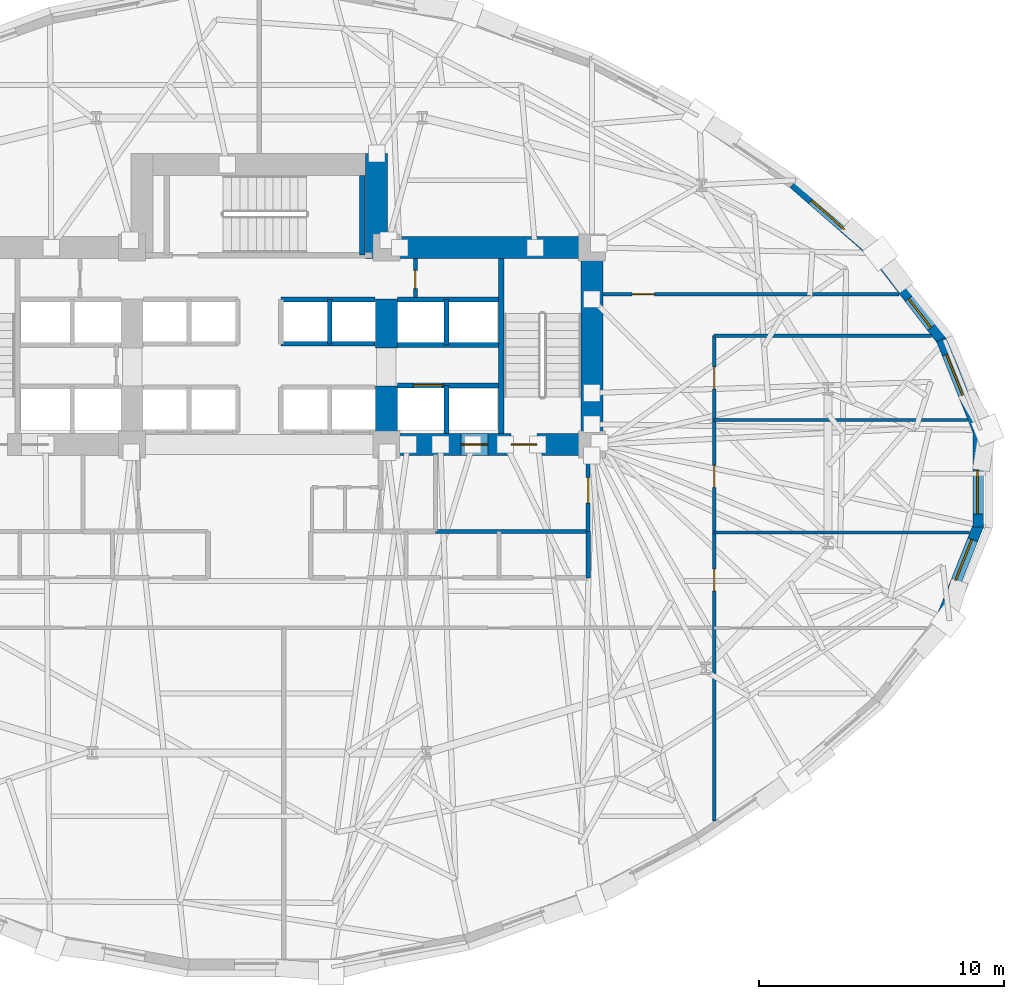
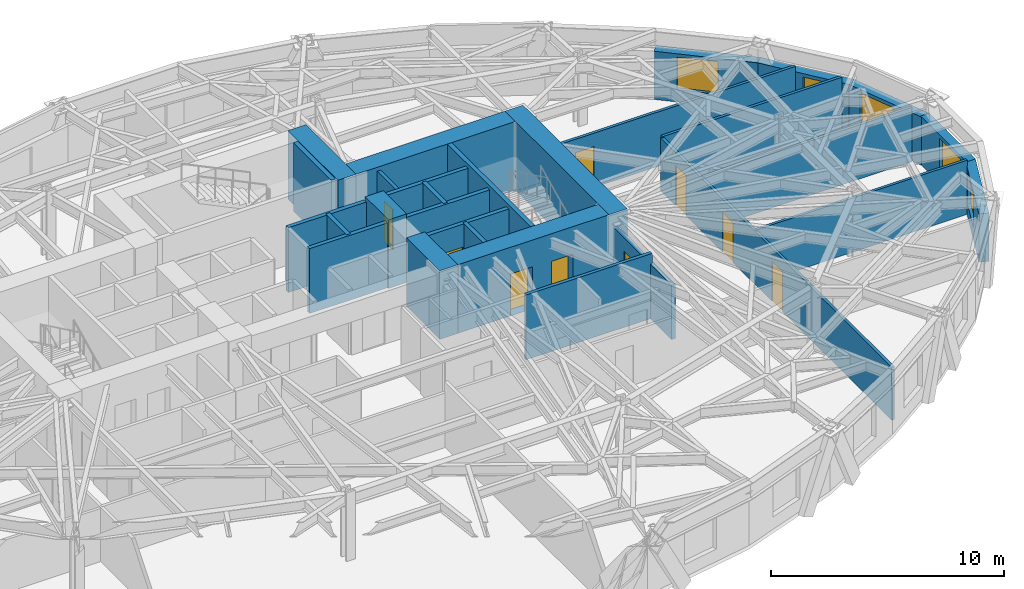
# One storey, part 9 of 14: 30 walls, 9 doors, 5 windows, 14 openings.
"""IFC4 building model written with IfcOpenShell, lengths in metres."""

from ifc_helpers import new_model, si_unit, direction, frame, frame_2d, origin, place, context, subcontext, project, spatial, rectangle, extrude, material, layer, layer_set, type_object, element, fill, save


model = new_model("IFC4")

# Units and contexts
model_context = context("Model", 3, precision=1e-05, world=origin(), true_north=direction((0.0, 1.0)))
body_context = subcontext(model_context, "Body", "Model", "MODEL_VIEW")
ifc_project = project(units=[si_unit("LENGTHUNIT", "METRE"), si_unit("AREAUNIT", "SQUARE_METRE"), si_unit("VOLUMEUNIT", "CUBIC_METRE"), si_unit("PLANEANGLEUNIT", "RADIAN"), si_unit("MASSUNIT", "GRAM", prefix="KILO")], contexts=[model_context])

# Site, building, storey
site_placement = place(None, origin())
site = spatial("IfcSite", under=ifc_project, at=site_placement, CompositionType="ELEMENT")
building_placement = place(site_placement, origin())
building = spatial("IfcBuilding", under=site, at=building_placement, Name="Keldmark Tower", CompositionType="ELEMENT")
storey_placement = place(building_placement, frame((0.0, 0.0, 66.60009765625)))
storey = spatial("IfcBuildingStorey", under=building, at=storey_placement, Name="L17", CompositionType="ELEMENT", Elevation=66.60009765625)

# Wall, openings, doors
ifc_material_1 = material(Name="Acoustic Double-Layer Gypsum Corridor Partition", Category="gypsum")
ifc_layer_1 = layer(ifc_material_1, 0.139892578125)
ifc_layer_set_1 = layer_set([ifc_layer_1], Name="Acoustic Double-Layer Gypsum Corridor Partition")
wall_type_1 = type_object("IfcWallType", Name="Acoustic Corridor Partition 140 mm", PredefinedType="PARTITIONING", material=ifc_layer_set_1)
wall_1_placement = place(storey_placement, frame((18.60009765625, -13.996337890625, 0.0), z_axis=(0.0, 0.0, 1.0), x_axis=(0.0, 1.0, 0.0)))
wall_1 = element("IfcWall", 1, at=wall_1_placement, inside=storey, type_object=wall_type_1, Name="L17 Acoustic Corridor Partition 140 mm COR-E", PredefinedType="PARTITIONING", context=body_context, shape_type="SweptSolid", body=[
    extrude(rectangle(XDim=19.846435546875, YDim=0.139892578125, at=frame_2d((9.92333984375, 0.0))), origin(), (0.0, 0.0, 1.0), 2.77880859375),
])
opening_1_placement = place(wall_1_placement, frame((9.396484375, 0.0, 0.0)))
opening_1 = element("IfcOpeningElement", 2, at=opening_1_placement, cuts=wall_1, Name="Opening D-IN090", PredefinedType="OPENING", context=body_context, shape_type="SweptSolid", body=[
    extrude(rectangle(XDim=0.89990234375, YDim=2.10009765625, at=frame_2d((0.449951171875, 1.050048828125))), frame((0.0, 0.079833984375, 0.0), z_axis=(0.0, -1.0, 0.0), x_axis=(1.0, 0.0, 0.0)), (0.0, 0.0, 1.0), 0.159912109375),
])
opening_2_placement = place(wall_1_placement, frame((13.646484375, 0.0, 0.0)))
opening_2 = element("IfcOpeningElement", 3, at=opening_2_placement, cuts=wall_1, Name="Opening D-IN090", PredefinedType="OPENING", context=body_context, shape_type="SweptSolid", body=[
    extrude(rectangle(XDim=0.89990234375, YDim=2.10009765625, at=frame_2d((0.449951171875, 1.050048828125))), frame((0.0, 0.079833984375, 0.0), z_axis=(0.0, -1.0, 0.0), x_axis=(1.0, 0.0, 0.0)), (0.0, 0.0, 1.0), 0.159912109375),
])
opening_3_placement = place(wall_1_placement, frame((17.67138671875, 0.0, 0.0)))
opening_3 = element("IfcOpeningElement", 4, at=opening_3_placement, cuts=wall_1, Name="Opening D-IN090", PredefinedType="OPENING", context=body_context, shape_type="SweptSolid", body=[
    extrude(rectangle(XDim=0.89990234375, YDim=2.10009765625, at=frame_2d((0.449951171875, 1.050048828125))), frame((0.0, 0.079833984375, 0.0), z_axis=(0.0, -1.0, 0.0), x_axis=(1.0, 0.0, 0.0)), (0.0, 0.0, 1.0), 0.159912109375),
])
ifc_material_2 = material(Name="Stained American White Oak Veneer", Category="wood")
door_type_1 = type_object("IfcDoorType", Name="Interior Door 900x2100", OperationType="NOTDEFINED", PredefinedType="DOOR", material=ifc_material_2)
door_1_placement = place(opening_1_placement, origin())
door_1 = element("IfcDoor", 5, at=door_1_placement, inside=storey, type_object=door_type_1, Name="L17 Interior Door 900x2100 D-ER-1-L17", OperationType="SINGLE_SWING_RIGHT", OverallHeight=2.10009765625, OverallWidth=0.89990234375, PredefinedType="DOOR", context=body_context, shape_type="SweptSolid", body=[
    extrude(rectangle(XDim=0.89990234375, YDim=2.10009765625, at=frame_2d((0.449951171875, 1.050048828125))), frame((0.0, 0.02490234375, 0.0), z_axis=(0.0, -1.0, 0.0), x_axis=(1.0, 0.0, 0.0)), (0.0, 0.0, 1.0), 0.050048828125),
])
fill(opening_1, door_1)
door_2_placement = place(opening_2_placement, origin())
door_2 = element("IfcDoor", 6, at=door_2_placement, inside=storey, type_object=door_type_1, Name="L17 Interior Door 900x2100 D-ER-2-L17", OperationType="SINGLE_SWING_LEFT", OverallHeight=2.10009765625, OverallWidth=0.89990234375, PredefinedType="DOOR", context=body_context, shape_type="SweptSolid", body=[
    extrude(rectangle(XDim=0.89990234375, YDim=2.10009765625, at=frame_2d((0.449951171875, 1.050048828125))), frame((0.0, 0.02490234375, 0.0), z_axis=(0.0, -1.0, 0.0), x_axis=(1.0, 0.0, 0.0)), (0.0, 0.0, 1.0), 0.050048828125),
])
fill(opening_2, door_2)
door_3_placement = place(opening_3_placement, origin())
door_3 = element("IfcDoor", 7, at=door_3_placement, inside=storey, type_object=door_type_1, Name="L17 Interior Door 900x2100 D-ER-3-L17", OperationType="SINGLE_SWING_RIGHT", OverallHeight=2.10009765625, OverallWidth=0.89990234375, PredefinedType="DOOR", context=body_context, shape_type="SweptSolid", body=[
    extrude(rectangle(XDim=0.89990234375, YDim=2.10009765625, at=frame_2d((0.449951171875, 1.050048828125))), frame((0.0, 0.02490234375, 0.0), z_axis=(0.0, -1.0, 0.0), x_axis=(1.0, 0.0, 0.0)), (0.0, 0.0, 1.0), 0.050048828125),
])
fill(opening_3, door_3)

# Wall, opening, door
wall_2_placement = place(storey_placement, frame((14.050048828125, 7.550048828125, 0.0), z_axis=(0.0, 0.0, 1.0), x_axis=(1.0, 0.0, 0.0)))
wall_2 = element("IfcWall", 8, at=wall_2_placement, inside=storey, type_object=wall_type_1, Name="L17 Acoustic Corridor Partition 140 mm COR-EN-CAP", PredefinedType="PARTITIONING", context=body_context, shape_type="SweptSolid", body=[
    extrude(rectangle(XDim=12.11767578125, YDim=0.139892578125, at=frame_2d((6.058837890625, 0.0))), origin(), (0.0, 0.0, 1.0), 2.852783203125),
])
opening_4_placement = place(wall_2_placement, frame((1.199951171875, 0.0, 0.0)))
opening_4 = element("IfcOpeningElement", 9, at=opening_4_placement, cuts=wall_2, Name="Opening D-EX092", PredefinedType="OPENING", context=body_context, shape_type="SweptSolid", body=[
    extrude(rectangle(XDim=0.919921875, YDim=2.14990234375, at=frame_2d((0.4599609375, 1.074951171875))), frame((0.0, 0.079833984375, 0.0), z_axis=(0.0, -1.0, 0.0), x_axis=(1.0, 0.0, 0.0)), (0.0, 0.0, 1.0), 0.159912109375),
])
ifc_material_3 = material(Name="Flush American Ash Executive Office Door", Category="wood")
door_type_2 = type_object("IfcDoorType", Name="Executive Office Door 920x2150", OperationType="NOTDEFINED", PredefinedType="DOOR", material=ifc_material_3)
door_4_placement = place(opening_4_placement, origin())
door_4 = element("IfcDoor", 10, at=door_4_placement, inside=storey, type_object=door_type_2, Name="L17 Executive Office Door 920x2150 D-NRNE-L17", OperationType="SINGLE_SWING_RIGHT", OverallHeight=2.14990234375, OverallWidth=0.919921875, PredefinedType="DOOR", context=body_context, shape_type="SweptSolid", body=[
    extrude(rectangle(XDim=0.919921875, YDim=2.14990234375, at=frame_2d((0.4599609375, 1.074951171875))), frame((0.0, 0.02490234375, 0.0), z_axis=(0.0, -1.0, 0.0), x_axis=(1.0, 0.0, 0.0)), (0.0, 0.0, 1.0), 0.050048828125),
])
fill(opening_4, door_4)

# Walls
wall_3_placement = place(storey_placement, frame((18.60009765625, 5.85009765625, 0.0), z_axis=(0.0, 0.0, 1.0), x_axis=(1.0, 0.0, 0.0)))
element("IfcWall", 11, at=wall_3_placement, inside=storey, type_object=wall_type_1, Name="L17 Acoustic Corridor Partition 140 mm COR-EA-S", PredefinedType="PARTITIONING", context=body_context, shape_type="SweptSolid", body=[
    extrude(rectangle(XDim=8.878662109375, YDim=0.139892578125, at=frame_2d((4.439453125, 0.0))), origin(), (0.0, 0.0, 1.0), 2.852783203125),
])
ifc_material_4 = material(Name="Heavy Acoustic Plumbing Chase Gypsum Assembly", Category="gypsum")
ifc_layer_2 = layer(ifc_material_4, 0.18994140625)
ifc_layer_set_2 = layer_set([ifc_layer_2], Name="Heavy Acoustic Plumbing Chase Gypsum Assembly")
wall_type_2 = type_object("IfcWallType", Name="Heavy Wet Wall 190 mm", PredefinedType="PLUMBINGWALL", material=ifc_layer_set_2)
wall_4_placement = place(storey_placement, frame((13.449951171875, -4.050048828125, 0.0), z_axis=(0.0, 0.0, 1.0), x_axis=(0.0, 1.0, 0.0)))
element("IfcWall", 12, at=wall_4_placement, inside=storey, type_object=wall_type_2, Name="L17 Heavy Wet Wall 190 mm SPK-E-E", PredefinedType="PLUMBINGWALL", context=body_context, shape_type="SweptSolid", body=[
    extrude(rectangle(XDim=1.900146484375, YDim=0.18994140625, at=frame_2d((0.9501953125, 0.0))), origin(), (0.0, 0.0, 1.0), 2.852783203125),
])
ifc_material_5 = material(Name="Acoustic Gypsum Board Interior Partition", Category="gypsum")
ifc_layer_3 = layer(ifc_material_5, 0.1298828125)
ifc_layer_set_3 = layer_set([ifc_layer_3], Name="Acoustic Gypsum Board Interior Partition")
wall_type_3 = type_object("IfcWallType", Name="Interior Partition 130 mm", PredefinedType="PARTITIONING", material=ifc_layer_set_3)
wall_5_placement = place(storey_placement, frame((18.60009765625, -2.199951171875, 0.0), z_axis=(0.0, 0.0, 1.0), x_axis=(1.0, 0.0, 0.0)))
element("IfcWall", 13, at=wall_5_placement, inside=storey, type_object=wall_type_3, Name="L17 Interior Partition 130 mm E-DIV-1", PredefinedType="PARTITIONING", context=body_context, shape_type="SweptSolid", body=[
    extrude(rectangle(XDim=10.449462890625, YDim=0.1298828125, at=frame_2d((5.224609375, 0.0))), origin(), (0.0, 0.0, 1.0), 2.8408203125),
])
wall_6_placement = place(storey_placement, frame((18.60009765625, 2.39990234375, 0.0), z_axis=(0.0, 0.0, 1.0), x_axis=(1.0, 0.0, 0.0)))
element("IfcWall", 14, at=wall_6_placement, inside=storey, type_object=wall_type_3, Name="L17 Interior Partition 130 mm E-DIV-2", PredefinedType="PARTITIONING", context=body_context, shape_type="SweptSolid", body=[
    extrude(rectangle(XDim=10.369384765625, YDim=0.1298828125, at=frame_2d((5.1845703125, 0.0))), origin(), (0.0, 0.0, 1.0), 2.8408203125),
])
ifc_material_6 = material(Name="Concrete C70/85", Category="concrete")
ifc_layer_4 = layer(ifc_material_6, 0.89990234375)
ifc_layer_set_4 = layer_set([ifc_layer_4], Name="Concrete C70/85")
wall_type_4 = type_object("IfcWallType", Name="Lower Core Shear Wall 900 mm", PredefinedType="SHEAR", material=ifc_layer_set_4)
wall_7_placement = place(storey_placement, frame((13.60009765625, 0.949951171875, 0.0), z_axis=(0.0, 0.0, 1.0), x_axis=(0.0, 1.0, 0.0)))
element("IfcWall", 15, at=wall_7_placement, inside=storey, type_object=wall_type_4, Name="L17 East Core Outer Shear Wall", PredefinedType="SHEAR", context=body_context, shape_type="SweptSolid", body=[
    extrude(rectangle(XDim=8.949951171875, YDim=0.89990234375, at=frame_2d((4.47509765625, 0.0))), origin(), (0.0, 0.0, 1.0), 3.599853515625),
])
wall_8_placement = place(storey_placement, frame((4.35009765625, 9.449951171875, 0.0), z_axis=(0.0, 0.0, 1.0), x_axis=(1.0, 0.0, 0.0)))
element("IfcWall", 16, at=wall_8_placement, inside=storey, type_object=wall_type_4, Name="L17 East Core North Shear Wall", PredefinedType="SHEAR", context=body_context, shape_type="SweptSolid", body=[
    extrude(rectangle(XDim=9.699951171875, YDim=0.89990234375, at=frame_2d((4.85009765625, 0.0))), origin(), (0.0, 0.0, 1.0), 3.599853515625),
])

# Wall, openings, doors
wall_9_placement = place(storey_placement, frame((14.050048828125, 1.39990234375, 0.0), z_axis=(0.0, 0.0, 1.0), x_axis=(-1.0, 0.0, 0.0)))
wall_9 = element("IfcWall", 17, at=wall_9_placement, inside=storey, type_object=wall_type_4, Name="L17 East Core South Shear Wall", PredefinedType="SHEAR", context=body_context, shape_type="SweptSolid", body=[
    extrude(rectangle(XDim=9.300048828125, YDim=0.89990234375, at=frame_2d((4.64990234375, 0.0))), origin(), (0.0, 0.0, 1.0), 3.599853515625),
])
opening_5_placement = place(wall_9_placement, frame((2.699951171875, 0.0, 0.0)))
opening_5 = element("IfcOpeningElement", 18, at=opening_5_placement, cuts=wall_9, Name="Opening D-ST105", PredefinedType="OPENING", context=body_context, shape_type="SweptSolid", body=[
    extrude(rectangle(XDim=1.050048828125, YDim=2.14990234375, at=frame_2d((0.52490234375, 1.074951171875))), frame((0.0, 0.4599609375, 0.0), z_axis=(0.0, -1.0, 0.0), x_axis=(1.0, 0.0, 0.0)), (0.0, 0.0, 1.0), 0.919921875),
])
opening_6_placement = place(wall_9_placement, frame((4.699951171875, 0.0, 0.0)))
opening_6 = element("IfcOpeningElement", 19, at=opening_6_placement, cuts=wall_9, Name="Opening LD-110", PredefinedType="OPENING", context=body_context, shape_type="SweptSolid", body=[
    extrude(rectangle(XDim=1.10009765625, YDim=2.199951171875, at=frame_2d((0.550048828125, 1.10009765625))), frame((0.0, 0.4599609375, 0.0), z_axis=(0.0, -1.0, 0.0), x_axis=(1.0, 0.0, 0.0)), (0.0, 0.0, 1.0), 0.919921875),
])
ifc_material_7 = material(Name="Brushed Bronze Hoistway Sliding Leaf", Category="metal")
door_type_3 = type_object("IfcDoorType", Name="Lift Landing Sliding Door 1100x2200", OperationType="SLIDING_TO_LEFT", PredefinedType="DOOR", material=ifc_material_7)
door_5_placement = place(opening_6_placement, origin())
door_5 = element("IfcDoor", 20, at=door_5_placement, inside=storey, type_object=door_type_3, Name="L17 Lift Landing Sliding Door 1100x2200 LD-EL-FS2-L17", OperationType="SLIDING_TO_LEFT", OverallHeight=2.199951171875, OverallWidth=1.10009765625, PredefinedType="DOOR", context=body_context, shape_type="SweptSolid", body=[
    extrude(rectangle(XDim=1.10009765625, YDim=2.199951171875, at=frame_2d((0.550048828125, 1.10009765625))), frame((0.0, 0.02490234375, 0.0), z_axis=(0.0, -1.0, 0.0), x_axis=(1.0, 0.0, 0.0)), (0.0, 0.0, 1.0), 0.050048828125),
])
fill(opening_6, door_5)
ifc_material_8 = material(Name="Hollow Metal Fire-Rated Door Assembly", Category="metal")
door_type_4 = type_object("IfcDoorType", Name="Stair Fire Door 1050x2150", OperationType="NOTDEFINED", PredefinedType="DOOR", material=ifc_material_8)
door_6_placement = place(opening_5_placement, origin())
door_6 = element("IfcDoor", 21, at=door_6_placement, inside=storey, type_object=door_type_4, Name="L17 Stair Fire Door 1050x2150 D-ST2-L17", OperationType="SINGLE_SWING_LEFT", OverallHeight=2.14990234375, OverallWidth=1.050048828125, PredefinedType="DOOR", context=body_context, shape_type="SweptSolid", body=[
    extrude(rectangle(XDim=1.050048828125, YDim=2.14990234375, at=frame_2d((0.52490234375, 1.074951171875))), frame((0.0, 0.02490234375, 0.0), z_axis=(0.0, -1.0, 0.0), x_axis=(1.0, 0.0, 0.0)), (0.0, 0.0, 1.0), 0.050048828125),
])
fill(opening_5, door_6)

# Walls
wall_10_placement = place(storey_placement, frame((5.199951171875, 0.949951171875, 0.0), z_axis=(0.0, 0.0, 1.0), x_axis=(0.0, 1.0, 0.0)))
element("IfcWall", 22, at=wall_10_placement, inside=storey, type_object=wall_type_4, Name="L17 East Core Inner Shear Pier South", PredefinedType="SHEAR", context=body_context, shape_type="SweptSolid", body=[
    extrude(rectangle(XDim=2.85009765625, YDim=0.89990234375, at=frame_2d((1.425048828125, 0.0))), origin(), (0.0, 0.0, 1.0), 3.599853515625),
])
wall_11_placement = place(storey_placement, frame((5.199951171875, 5.35009765625, 0.0), z_axis=(0.0, 0.0, 1.0), x_axis=(0.0, 1.0, 0.0)))
element("IfcWall", 23, at=wall_11_placement, inside=storey, type_object=wall_type_4, Name="L17 East Core Inner Shear Pier North", PredefinedType="SHEAR", context=body_context, shape_type="SweptSolid", body=[
    extrude(rectangle(XDim=2.0, YDim=0.89990234375, at=frame_2d((1.0, 0.0))), origin(), (0.0, 0.0, 1.0), 3.599853515625),
])
wall_12_placement = place(storey_placement, frame((4.800048828125, 9.0, 0.0), z_axis=(0.0, 0.0, 1.0), x_axis=(0.0, 1.0, 0.0)))
element("IfcWall", 24, at=wall_12_placement, inside=storey, type_object=wall_type_4, Name="L17 North Core East Shear Wall", PredefinedType="SHEAR", context=body_context, shape_type="SweptSolid", body=[
    extrude(rectangle(XDim=4.300048828125, YDim=0.89990234375, at=frame_2d((2.14990234375, 0.0))), origin(), (0.0, 0.0, 1.0), 3.599853515625),
])
ifc_material_9 = material(Name="Type X Fire-Rated Gypsum Partition Assembly", Category="gypsum")
ifc_layer_5 = layer(ifc_material_9, 0.1650390625)
ifc_layer_set_5 = layer_set([ifc_layer_5], Name="Type X Fire-Rated Gypsum Partition Assembly")
wall_type_5 = type_object("IfcWallType", Name="Rated Partition 165 mm", PredefinedType="PARTITIONING", material=ifc_layer_set_5)
wall_13_placement = place(storey_placement, frame((7.199951171875, -2.14990234375, 0.0), z_axis=(0.0, 0.0, 1.0), x_axis=(1.0, 0.0, 0.0)))
element("IfcWall", 25, at=wall_13_placement, inside=storey, type_object=wall_type_5, Name="L17 Rated Partition 165 mm FSAE-E-S", PredefinedType="PARTITIONING", context=body_context, shape_type="SweptSolid", body=[
    extrude(rectangle(XDim=6.25, YDim=0.1650390625, at=frame_2d((3.125, 0.0))), origin(), (0.0, 0.0, 1.0), 3.39990234375),
])

# Wall, opening, door
wall_14_placement = place(storey_placement, frame((13.449951171875, -2.14990234375, 0.0), z_axis=(0.0, 0.0, 1.0), x_axis=(0.0, 1.0, 0.0)))
wall_14 = element("IfcWall", 26, at=wall_14_placement, inside=storey, type_object=wall_type_5, Name="L17 Rated Partition 165 mm FSAE-E-E", PredefinedType="PARTITIONING", context=body_context, shape_type="SweptSolid", body=[
    extrude(rectangle(XDim=3.14990234375, YDim=0.1650390625, at=frame_2d((1.574951171875, 0.0))), origin(), (0.0, 0.0, 1.0), 2.852783203125),
])
opening_7_placement = place(wall_14_placement, frame((1.14990234375, 0.0, 0.0)))
opening_7 = element("IfcOpeningElement", 27, at=opening_7_placement, cuts=wall_14, Name="Opening D-FL105", PredefinedType="OPENING", context=body_context, shape_type="SweptSolid", body=[
    extrude(rectangle(XDim=1.050048828125, YDim=2.14990234375, at=frame_2d((0.52490234375, 1.074951171875))), frame((0.0, 0.092529296875, 0.0), z_axis=(0.0, -1.0, 0.0), x_axis=(1.0, 0.0, 0.0)), (0.0, 0.0, 1.0), 0.18505859375),
])
ifc_material_10 = material(Name="Fire-Rated Mineral-Core Door and Vision Lite", Category="metal")
door_type_5 = type_object("IfcDoorType", Name="Fire Lobby Door 1050x2150", OperationType="NOTDEFINED", PredefinedType="DOOR", material=ifc_material_10)
door_7_placement = place(opening_7_placement, origin())
door_7 = element("IfcDoor", 28, at=door_7_placement, inside=storey, type_object=door_type_5, Name="L17 Fire Lobby Door 1050x2150 D-FSAEE-OUT-L17", OperationType="SINGLE_SWING_LEFT", OverallHeight=2.14990234375, OverallWidth=1.050048828125, PredefinedType="DOOR", context=body_context, shape_type="SweptSolid", body=[
    extrude(rectangle(XDim=1.050048828125, YDim=2.14990234375, at=frame_2d((0.52490234375, 1.074951171875))), frame((0.0, 0.02490234375, 0.0), z_axis=(0.0, -1.0, 0.0), x_axis=(1.0, 0.0, 0.0)), (0.0, 0.0, 1.0), 0.050048828125),
])
fill(opening_7, door_7)

wall_15_placement = place(storey_placement, frame((6.3798828125, 7.419921875, 0.0), z_axis=(0.0, 0.0, 1.0), x_axis=(0.0, 1.0, 0.0)))
wall_15 = element("IfcWall", 29, at=wall_15_placement, inside=storey, type_object=wall_type_5, Name="L17 Rated Partition 165 mm CS-NE-W", PredefinedType="PARTITIONING", context=body_context, shape_type="SweptSolid", body=[
    extrude(rectangle(XDim=1.580078125, YDim=0.1650390625, at=frame_2d((0.7900390625, 0.0))), origin(), (0.0, 0.0, 1.0), 3.39990234375),
])
opening_8_placement = place(wall_15_placement, frame((0.35009765625, 0.0, 0.0)))
opening_8 = element("IfcOpeningElement", 30, at=opening_8_placement, cuts=wall_15, Name="Opening D-RS075", PredefinedType="OPENING", context=body_context, shape_type="SweptSolid", body=[
    extrude(rectangle(XDim=0.75, YDim=2.10009765625, at=frame_2d((0.375, 1.050048828125))), frame((0.0, 0.092529296875, 0.0), z_axis=(0.0, -1.0, 0.0), x_axis=(1.0, 0.0, 0.0)), (0.0, 0.0, 1.0), 0.18505859375),
])
ifc_material_11 = material(Name="Galvanized Fire-Rated Access Leaf", Category="metal")
door_type_6 = type_object("IfcDoorType", Name="Riser Access Door 750x2100", OperationType="NOTDEFINED", PredefinedType="DOOR", material=ifc_material_11)
door_8_placement = place(opening_8_placement, origin())
door_8 = element("IfcDoor", 31, at=door_8_placement, inside=storey, type_object=door_type_6, Name="L17 Riser Access Door 750x2100 D-CSNE1-L17", OperationType="SINGLE_SWING_LEFT", OverallHeight=2.10009765625, OverallWidth=0.75, PredefinedType="DOOR", context=body_context, shape_type="SweptSolid", body=[
    extrude(rectangle(XDim=0.75, YDim=2.10009765625, at=frame_2d((0.375, 1.050048828125))), frame((0.0, 0.02490234375, 0.0), z_axis=(0.0, -1.0, 0.0), x_axis=(1.0, 0.0, 0.0)), (0.0, 0.0, 1.0), 0.050048828125),
])
fill(opening_8, door_8)

ifc_material_12 = material(Name="Fire-Resistant Type X Gypsum Shaftliner Coreboard", Category="gypsum")
ifc_layer_6 = layer(ifc_material_12, 0.199951171875)
ifc_layer_set_6 = layer_set([ifc_layer_6], Name="Fire-Resistant Type X Gypsum Shaftliner Coreboard")
wall_type_6 = type_object("IfcWallType", Name="Shaft Wall 200 mm", PredefinedType="SOLIDWALL", material=ifc_layer_set_6)
wall_16_placement = place(storey_placement, frame((5.64990234375, 3.820068359375, 0.0), z_axis=(0.0, 0.0, 1.0), x_axis=(1.0, 0.0, 0.0)))
wall_16 = element("IfcWall", 32, at=wall_16_placement, inside=storey, type_object=wall_type_6, Name="L17 Shaft Wall 200 mm HW-E-S", PredefinedType="SOLIDWALL", context=body_context, shape_type="SweptSolid", body=[
    extrude(rectangle(XDim=4.130126953125, YDim=0.199951171875, at=frame_2d((2.06494140625, 0.0))), origin(), (0.0, 0.0, 1.0), 3.39990234375),
])
opening_9_placement = place(wall_16_placement, frame((0.64990234375, 0.0, 0.0)))
opening_9 = element("IfcOpeningElement", 33, at=opening_9_placement, cuts=wall_16, Name="Opening LD-120", PredefinedType="OPENING", context=body_context, shape_type="SweptSolid", body=[
    extrude(rectangle(XDim=1.199951171875, YDim=2.199951171875, at=frame_2d((0.60009765625, 1.10009765625))), frame((0.0, 0.10986328125, 0.0), z_axis=(0.0, -1.0, 0.0), x_axis=(1.0, 0.0, 0.0)), (0.0, 0.0, 1.0), 0.219970703125),
])
ifc_material_13 = material(Name="Heavy-Duty Brushed Metal Hoistway Sliding Leaf", Category="metal")
door_type_7 = type_object("IfcDoorType", Name="Service Lift Sliding Door 1200x2200", OperationType="SLIDING_TO_RIGHT", PredefinedType="DOOR", material=ifc_material_13)
door_9_placement = place(opening_9_placement, origin())
door_9 = element("IfcDoor", 34, at=door_9_placement, inside=storey, type_object=door_type_7, Name="L17 Service Lift Sliding Door 1200x2200 LD-EL-SV1-L17", OperationType="SLIDING_TO_RIGHT", OverallHeight=2.199951171875, OverallWidth=1.199951171875, PredefinedType="DOOR", context=body_context, shape_type="SweptSolid", body=[
    extrude(rectangle(XDim=1.199951171875, YDim=2.199951171875, at=frame_2d((0.60009765625, 1.10009765625))), frame((0.0, 0.02490234375, 0.0), z_axis=(0.0, -1.0, 0.0), x_axis=(1.0, 0.0, 0.0)), (0.0, 0.0, 1.0), 0.050048828125),
])
fill(opening_9, door_9)

# Walls
wall_17_placement = place(storey_placement, frame((7.64990234375, 1.85009765625, 0.0), z_axis=(0.0, 0.0, 1.0), x_axis=(0.0, 1.0, 0.0)))
element("IfcWall", 35, at=wall_17_placement, inside=storey, type_object=wall_type_6, Name="L17 Shaft Wall 200 mm HW-E-M", PredefinedType="SOLIDWALL", context=body_context, shape_type="SweptSolid", body=[
    extrude(rectangle(XDim=1.969970703125, YDim=0.199951171875, at=frame_2d((0.98486328125, 0.0))), origin(), (0.0, 0.0, 1.0), 3.39990234375),
])
for number, where, z_axis, x_axis, name in (
    (36, (5.64990234375, 5.469970703125, 0.0), (0.0, 0.0, 1.0), (1.0, 0.0, 0.0), "L17 Shaft Wall 200 mm HW-E-N"),
    (37, (5.64990234375, 7.330078125, 0.0), (0.0, 0.0, 1.0), (1.0, 0.0, 0.0), "L17 Shaft Wall 200 mm HW-E-TOP"),
):
    element("IfcWall", number, at=place(storey_placement, frame(where, z_axis=z_axis, x_axis=x_axis)), inside=storey, type_object=wall_type_6, Name=name, PredefinedType="SOLIDWALL", context=body_context, shape_type="SweptSolid", body=[
        extrude(rectangle(XDim=4.130126953125, YDim=0.199951171875, at=frame_2d((2.06494140625, 0.0))), origin(), (0.0, 0.0, 1.0), 3.39990234375),
    ])
wall_18_placement = place(storey_placement, frame((7.64990234375, 5.469970703125, 0.0), z_axis=(0.0, 0.0, 1.0), x_axis=(0.0, 1.0, 0.0)))
element("IfcWall", 38, at=wall_18_placement, inside=storey, type_object=wall_type_6, Name="L17 Shaft Wall 200 mm HW-E-NM", PredefinedType="SOLIDWALL", context=body_context, shape_type="SweptSolid", body=[
    extrude(rectangle(XDim=1.860107421875, YDim=0.199951171875, at=frame_2d((0.93017578125, 0.0))), origin(), (0.0, 0.0, 1.0), 3.39990234375),
])
for number, where, z_axis, x_axis, name in (
    (39, (0.8798828125, 5.52001953125, 0.0), (0.0, 0.0, 1.0), (1.0, 0.0, 0.0), "L17 Shaft Wall 200 mm MID-S-E"),
    (40, (0.8798828125, 7.330078125, 0.0), (0.0, 0.0, 1.0), (1.0, 0.0, 0.0), "L17 Shaft Wall 200 mm MID-N-E"),
):
    element("IfcWall", number, at=place(storey_placement, frame(where, z_axis=z_axis, x_axis=x_axis)), inside=storey, type_object=wall_type_6, Name=name, PredefinedType="SOLIDWALL", context=body_context, shape_type="SweptSolid", body=[
        extrude(rectangle(XDim=3.860107421875, YDim=0.199951171875, at=frame_2d((1.93017578125, 0.0))), origin(), (0.0, 0.0, 1.0), 3.39990234375),
    ])
wall_19_placement = place(storey_placement, frame((2.8798828125, 5.52001953125, 0.0), z_axis=(0.0, 0.0, 1.0), x_axis=(0.0, 1.0, 0.0)))
element("IfcWall", 41, at=wall_19_placement, inside=storey, type_object=wall_type_6, Name="L17 Shaft Wall 200 mm MID-M-E", PredefinedType="SOLIDWALL", context=body_context, shape_type="SweptSolid", body=[
    extrude(rectangle(XDim=1.81005859375, YDim=0.199951171875, at=frame_2d((0.905029296875, 0.0))), origin(), (0.0, 0.0, 1.0), 3.39990234375),
])
ifc_material_14 = material(Name="Concrete C50/60", Category="concrete")
ifc_layer_7 = layer(ifc_material_14, 0.219970703125)
ifc_layer_set_7 = layer_set([ifc_layer_7], Name="Concrete C50/60")
wall_type_7 = type_object("IfcWallType", Name="Stair Core Shear Wall 220 mm", PredefinedType="SHEAR", material=ifc_layer_set_7)
wall_20_placement = place(storey_placement, frame((9.889892578125, 1.85009765625, 0.0), z_axis=(0.0, 0.0, 1.0), x_axis=(0.0, 1.0, 0.0)))
element("IfcWall", 42, at=wall_20_placement, inside=storey, type_object=wall_type_7, Name="L17 East Stair Core Shear Wall", PredefinedType="SHEAR", context=body_context, shape_type="SweptSolid", body=[
    extrude(rectangle(XDim=7.14990234375, YDim=0.219970703125, at=frame_2d((3.574951171875, 0.0))), origin(), (0.0, 0.0, 1.0), 3.599853515625),
])
wall_21_placement = place(storey_placement, frame((4.215087890625, 9.139892578125, 0.0), z_axis=(0.0, 0.0, 1.0), x_axis=(0.0, 1.0, 0.0)))
element("IfcWall", 43, at=wall_21_placement, inside=storey, type_object=wall_type_7, Name="L17 Central Stair Core East Shear Wall", PredefinedType="SHEAR", context=body_context, shape_type="SweptSolid", body=[
    extrude(rectangle(XDim=3.260009765625, YDim=0.219970703125, at=frame_2d((1.6298828125, 0.0))), origin(), (0.0, 0.0, 1.0), 3.599853515625),
])

# Wall, opening, window
ifc_material_15 = material(Name="Ironspot Manganese Brick and Kasota Buff Limestone Spandrel Assembly", Category="masonry")
ifc_layer_8 = layer(ifc_material_15, 0.43994140625)
ifc_layer_set_8 = layer_set([ifc_layer_8], Name="Ironspot Manganese Brick and Kasota Buff Limestone Spandrel Assembly")
wall_type_8 = type_object("IfcWallType", Name="Tower Brick Pier and Spandrel Wall 440 mm", PredefinedType="STANDARD", material=ifc_layer_set_8)
wall_22_placement = place(storey_placement, frame((27.89453125, 5.69775390625, 0.0), z_axis=(0.0, 0.0, 1.0), x_axis=(0.37175044344, -0.928332703185, 0.0)))
wall_22 = element("IfcWall", 44, at=wall_22_placement, inside=storey, type_object=wall_type_8, Name="L17 Exterior Brick and Spandrel Wall 01", PredefinedType="STANDARD", context=body_context, shape_type="SweptSolid", body=[
    extrude(rectangle(XDim=4.0947265625, YDim=0.43994140625, at=frame_2d((2.04736328125, 0.0))), origin(), (0.0, 0.0, 1.0), 2.52880859375),
])
opening_10_placement = place(wall_22_placement, frame((0.648681640625, 0.0, 0.64990234375)))
opening_10 = element("IfcOpeningElement", 45, at=opening_10_placement, cuts=wall_22, Name="Opening W-02", PredefinedType="OPENING", context=body_context, shape_type="SweptSolid", body=[
    extrude(rectangle(XDim=1.800048828125, YDim=1.699951171875, at=frame_2d((0.89990234375, 0.85009765625))), frame((0.0, 0.22998046875, 0.0), z_axis=(0.0, -1.0, 0.0), x_axis=(1.0, 0.0, 0.0)), (0.0, 0.0, 1.0), 0.4599609375),
])
ifc_material_16 = material(Name="Thermally Broken Anodized Aluminum and Triple Low-E Argon Glazing", Category="aluminium")
window_type_1 = type_object("IfcWindowType", Name="Office Deep-Set Triple Window 1800x1700", PartitioningType="TRIPLE_PANEL_VERTICAL", PredefinedType="WINDOW", material=ifc_material_16)
window_1_placement = place(opening_10_placement, origin())
window_1 = element("IfcWindow", 46, at=window_1_placement, inside=storey, type_object=window_type_1, Name="L17 Deep-Set Window 01", OverallHeight=1.699951171875, OverallWidth=1.800048828125, PartitioningType="SINGLE_PANEL", PredefinedType="WINDOW", context=body_context, shape_type="SweptSolid", body=[
    extrude(rectangle(XDim=1.800048828125, YDim=1.699951171875, at=frame_2d((0.89990234375, 0.85009765625))), frame((0.0, -0.010009765625, 0.0), z_axis=(0.0, -1.0, 0.0), x_axis=(1.0, 0.0, 0.0)), (0.0, 0.0, 1.0), 0.06005859375),
])
fill(opening_10, window_1)

wall_23_placement = place(storey_placement, frame((25.27001953125, 9.08740234375, 0.0), z_axis=(0.0, 0.0, 1.0), x_axis=(0.610684735824, -0.791873824187, 0.0)))
wall_23 = element("IfcWall", 47, at=wall_23_placement, inside=storey, type_object=wall_type_8, Name="L17 Exterior Brick and Spandrel Wall 02", PredefinedType="STANDARD", context=body_context, shape_type="SweptSolid", body=[
    extrude(rectangle(XDim=4.346923828125, YDim=0.43994140625, at=frame_2d((2.17333984375, 0.0))), origin(), (0.0, 0.0, 1.0), 2.52880859375),
])
opening_11_placement = place(wall_23_placement, frame((2.1474609375, 0.0, 0.64990234375)))
opening_11 = element("IfcOpeningElement", 48, at=opening_11_placement, cuts=wall_23, Name="Opening W-03", PredefinedType="OPENING", context=body_context, shape_type="SweptSolid", body=[
    extrude(rectangle(XDim=1.5, YDim=1.699951171875, at=frame_2d((0.75, 0.85009765625))), frame((0.0, 0.22998046875, 0.0), z_axis=(0.0, -1.0, 0.0), x_axis=(1.0, 0.0, 0.0)), (0.0, 0.0, 1.0), 0.4599609375),
])
ifc_material_17 = material(Name="Thermally Broken Anodized Aluminum and Triple Low-E Argon Glazing", Category="aluminium")
window_type_2 = type_object("IfcWindowType", Name="Office Corner Deep-Set Window 1500x1700", PartitioningType="DOUBLE_PANEL_VERTICAL", PredefinedType="WINDOW", material=ifc_material_17)
window_2_placement = place(opening_11_placement, origin())
window_2 = element("IfcWindow", 49, at=window_2_placement, inside=storey, type_object=window_type_2, Name="L17 Deep-Set Window 02", OverallHeight=1.699951171875, OverallWidth=1.5, PartitioningType="SINGLE_PANEL", PredefinedType="WINDOW", context=body_context, shape_type="SweptSolid", body=[
    extrude(rectangle(XDim=1.5, YDim=1.699951171875, at=frame_2d((0.75, 0.85009765625))), frame((0.0, -0.010009765625, 0.0), z_axis=(0.0, -1.0, 0.0), x_axis=(1.0, 0.0, 0.0)), (0.0, 0.0, 1.0), 0.06005859375),
])
fill(opening_11, window_2)

wall_24_placement = place(storey_placement, frame((21.847412109375, 12.072021484375, 0.0), z_axis=(0.0, 0.0, 1.0), x_axis=(0.753064762529, -0.657946398605, 0.0)))
wall_24 = element("IfcWall", 50, at=wall_24_placement, inside=storey, type_object=wall_type_8, Name="L17 Exterior Brick and Spandrel Wall 03", PredefinedType="STANDARD", context=body_context, shape_type="SweptSolid", body=[
    extrude(rectangle(XDim=4.584228515625, YDim=0.43994140625, at=frame_2d((2.2919921875, 0.0))), origin(), (0.0, 0.0, 1.0), 2.52880859375),
])
opening_12_placement = place(wall_24_placement, frame((0.99462890625, 0.0, 0.64990234375)))
opening_12 = element("IfcOpeningElement", 51, at=opening_12_placement, cuts=wall_24, Name="Opening W-02", PredefinedType="OPENING", context=body_context, shape_type="SweptSolid", body=[
    extrude(rectangle(XDim=1.800048828125, YDim=1.699951171875, at=frame_2d((0.89990234375, 0.85009765625))), frame((0.0, 0.22998046875, 0.0), z_axis=(0.0, -1.0, 0.0), x_axis=(1.0, 0.0, 0.0)), (0.0, 0.0, 1.0), 0.4599609375),
])
window_3_placement = place(opening_12_placement, origin())
window_3 = element("IfcWindow", 52, at=window_3_placement, inside=storey, type_object=window_type_1, Name="L17 Deep-Set Window 03", OverallHeight=1.699951171875, OverallWidth=1.800048828125, PartitioningType="SINGLE_PANEL", PredefinedType="WINDOW", context=body_context, shape_type="SweptSolid", body=[
    extrude(rectangle(XDim=1.800048828125, YDim=1.699951171875, at=frame_2d((0.89990234375, 0.85009765625))), frame((0.0, -0.010009765625, 0.0), z_axis=(0.0, -1.0, 0.0), x_axis=(1.0, 0.0, 0.0)), (0.0, 0.0, 1.0), 0.06005859375),
])
fill(opening_12, window_3)

wall_25_placement = place(storey_placement, frame((29.416748046875, -1.896484375, 0.0), z_axis=(0.0, 0.0, 1.0), x_axis=(-0.37175044344, -0.928332703185, 0.0)))
wall_25 = element("IfcWall", 53, at=wall_25_placement, inside=storey, type_object=wall_type_8, Name="L17 Exterior Brick and Spandrel Wall 31", PredefinedType="STANDARD", context=body_context, shape_type="SweptSolid", body=[
    extrude(rectangle(XDim=4.0947265625, YDim=0.43994140625, at=frame_2d((2.04736328125, 0.0))), origin(), (0.0, 0.0, 1.0), 2.52880859375),
])
opening_13_placement = place(wall_25_placement, frame((0.648681640625, 0.0, 0.64990234375)))
opening_13 = element("IfcOpeningElement", 54, at=opening_13_placement, cuts=wall_25, Name="Opening W-02", PredefinedType="OPENING", context=body_context, shape_type="SweptSolid", body=[
    extrude(rectangle(XDim=1.800048828125, YDim=1.699951171875, at=frame_2d((0.89990234375, 0.85009765625))), frame((0.0, 0.22998046875, 0.0), z_axis=(0.0, -1.0, 0.0), x_axis=(1.0, 0.0, 0.0)), (0.0, 0.0, 1.0), 0.4599609375),
])
window_4_placement = place(opening_13_placement, origin())
window_4 = element("IfcWindow", 55, at=window_4_placement, inside=storey, type_object=window_type_1, Name="L17 Deep-Set Window 31", OverallHeight=1.699951171875, OverallWidth=1.800048828125, PartitioningType="SINGLE_PANEL", PredefinedType="WINDOW", context=body_context, shape_type="SweptSolid", body=[
    extrude(rectangle(XDim=1.800048828125, YDim=1.699951171875, at=frame_2d((0.89990234375, 0.85009765625))), frame((0.0, -0.010009765625, 0.0), z_axis=(0.0, -1.0, 0.0), x_axis=(1.0, 0.0, 0.0)), (0.0, 0.0, 1.0), 0.06005859375),
])
fill(opening_13, window_4)

wall_26_placement = place(storey_placement, frame((29.40087890625, 1.978271484375, 0.0), z_axis=(0.0, 0.0, 1.0), x_axis=(0.0, -1.0, 0.0)))
wall_26 = element("IfcWall", 56, at=wall_26_placement, inside=storey, type_object=wall_type_8, Name="L17 Exterior Brick and Spandrel Wall 32", PredefinedType="STANDARD", context=body_context, shape_type="SweptSolid", body=[
    extrude(rectangle(XDim=3.95654296875, YDim=0.43994140625, at=frame_2d((1.978271484375, 0.0))), origin(), (0.0, 0.0, 1.0), 2.532958984375),
])
opening_14_placement = place(wall_26_placement, frame((1.614990234375, 0.0, 0.64990234375)))
opening_14 = element("IfcOpeningElement", 57, at=opening_14_placement, cuts=wall_26, Name="Opening W-02", PredefinedType="OPENING", context=body_context, shape_type="SweptSolid", body=[
    extrude(rectangle(XDim=1.800048828125, YDim=1.699951171875, at=frame_2d((0.89990234375, 0.85009765625))), frame((0.0, 0.22998046875, 0.0), z_axis=(0.0, -1.0, 0.0), x_axis=(1.0, 0.0, 0.0)), (0.0, 0.0, 1.0), 0.4599609375),
])
window_5_placement = place(opening_14_placement, origin())
window_5 = element("IfcWindow", 58, at=window_5_placement, inside=storey, type_object=window_type_1, Name="L17 Deep-Set Window 32", OverallHeight=1.699951171875, OverallWidth=1.800048828125, PartitioningType="SINGLE_PANEL", PredefinedType="WINDOW", context=body_context, shape_type="SweptSolid", body=[
    extrude(rectangle(XDim=1.800048828125, YDim=1.699951171875, at=frame_2d((0.89990234375, 0.85009765625))), frame((0.0, -0.010009765625, 0.0), z_axis=(0.0, -1.0, 0.0), x_axis=(1.0, 0.0, 0.0)), (0.0, 0.0, 1.0), 0.06005859375),
])
fill(opening_14, window_5)

save(model, "model.ifc")
